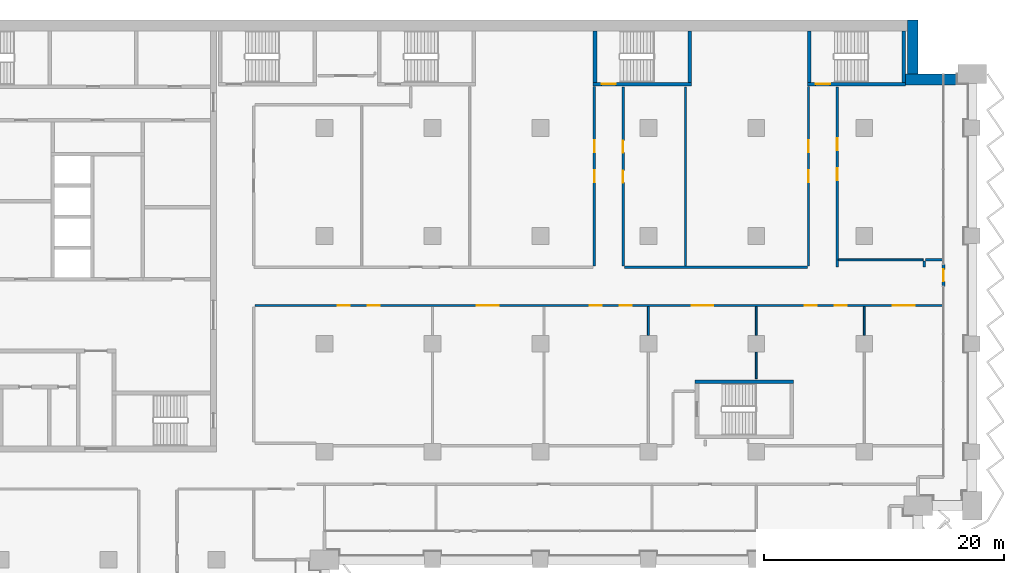
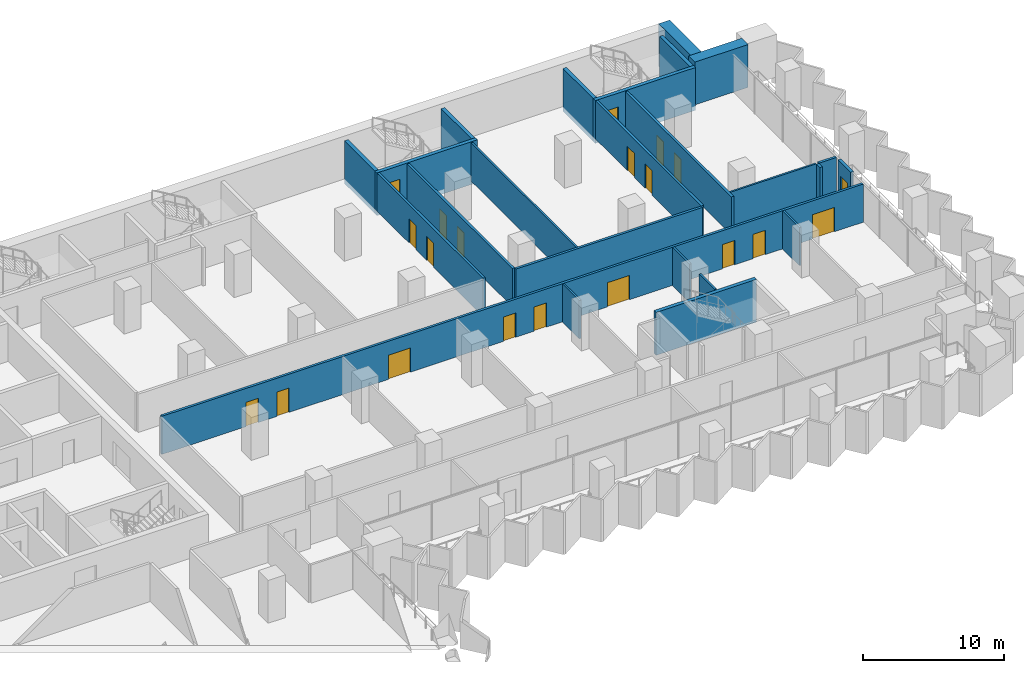
# One storey, part 19 of 29: 24 walls, 20 doors, 20 openings.
"""IFC4 building model written with IfcOpenShell, lengths in metres."""

from ifc_helpers import new_model, si_unit, direction, frame, frame_2d, origin, place, context, subcontext, project, spatial, rectangle, extrude, material, layer, layer_set, type_object, element, fill, save


model = new_model("IFC4")

# Units and contexts
model_context = context("Model", 3, precision=1e-05, world=origin(), true_north=direction((0.0, 1.0)))
body_context = subcontext(model_context, "Body", "Model", "MODEL_VIEW")
ifc_project = project(units=[si_unit("LENGTHUNIT", "METRE"), si_unit("AREAUNIT", "SQUARE_METRE"), si_unit("VOLUMEUNIT", "CUBIC_METRE"), si_unit("PLANEANGLEUNIT", "RADIAN"), si_unit("MASSUNIT", "GRAM", prefix="KILO")], contexts=[model_context])

# Site, building, storey
site_placement = place(None, origin())
site = spatial("IfcSite", under=ifc_project, at=site_placement, CompositionType="ELEMENT")
building_placement = place(site_placement, origin())
building = spatial("IfcBuilding", under=site, at=building_placement, Name="Hunhe Ridgeline Campus", CompositionType="ELEMENT")
storey_placement = place(building_placement, frame((0.0, 0.0, 69.10009765625)))
storey = spatial("IfcBuildingStorey", under=building, at=storey_placement, Name="L16", CompositionType="ELEMENT", Elevation=69.10009765625)

# Wall, openings, doors
ifc_material_1 = material(Name="Gypsum board partition")
ifc_layer_1 = layer(ifc_material_1, 0.199951171875)
ifc_layer_set_1 = layer_set([ifc_layer_1], Name="Corridor partition 200 gypsum board on steel studs")
wall_type_1 = type_object("IfcWallType", Name="Corridor partition 200 gypsum board on steel studs", PredefinedType="PARTITIONING", material=ifc_layer_set_1)
wall_1_placement = place(storey_placement, frame((96.544921875, 75.199951171875, 0.0), z_axis=(0.0, 0.0, 1.0), x_axis=(-1.0, 0.0, 0.0)))
wall_1 = element("IfcWall", 1, at=wall_1_placement, inside=storey, type_object=wall_type_1, Name="F-L16-wall-043", PredefinedType="PARTITIONING", context=body_context, shape_type="SweptSolid", body=[
    extrude(rectangle(XDim=57.344970703125, YDim=0.199951171875, at=frame_2d((28.67236328125, 0.0))), origin(), (0.0, 0.0, 1.0), 3.2998046875),
])
opening_1_placement = place(wall_1_placement, frame((49.457763671875, 0.0, 0.0)))
opening_1 = element("IfcOpeningElement", 2, at=opening_1_placement, cuts=wall_1, Name="Opening RD1-027", PredefinedType="OPENING", context=body_context, shape_type="SweptSolid", body=[
    extrude(rectangle(XDim=1.0, YDim=2.10009765625, at=frame_2d((0.5, 1.050048828125))), frame((0.0, 0.10009765625, 0.0), z_axis=(0.0, -1.0, 0.0), x_axis=(1.0, 0.0, 0.0)), (0.0, 0.0, 1.0), 0.199951171875),
])
opening_2_placement = place(wall_1_placement, frame((46.957763671875, 0.0, 0.0)))
opening_2 = element("IfcOpeningElement", 3, at=opening_2_placement, cuts=wall_1, Name="Opening RD1-028", PredefinedType="OPENING", context=body_context, shape_type="SweptSolid", body=[
    extrude(rectangle(XDim=1.0, YDim=2.10009765625, at=frame_2d((0.5, 1.050048828125))), frame((0.0, 0.10009765625, 0.0), z_axis=(0.0, -1.0, 0.0), x_axis=(1.0, 0.0, 0.0)), (0.0, 0.0, 1.0), 0.199951171875),
])
opening_3_placement = place(wall_1_placement, frame((37.037841796875, 0.0, 0.0)))
opening_3 = element("IfcOpeningElement", 4, at=opening_3_placement, cuts=wall_1, Name="Opening RD2-029", PredefinedType="OPENING", context=body_context, shape_type="SweptSolid", body=[
    extrude(rectangle(XDim=1.800048828125, YDim=2.10009765625, at=frame_2d((0.89990234375, 1.050048828125))), frame((0.0, 0.10009765625, 0.0), z_axis=(0.0, -1.0, 0.0), x_axis=(1.0, 0.0, 0.0)), (0.0, 0.0, 1.0), 0.199951171875),
])
opening_4_placement = place(wall_1_placement, frame((28.4228515625, 0.0, 0.0)))
opening_4 = element("IfcOpeningElement", 5, at=opening_4_placement, cuts=wall_1, Name="Opening RD1-030", PredefinedType="OPENING", context=body_context, shape_type="SweptSolid", body=[
    extrude(rectangle(XDim=1.0, YDim=2.10009765625, at=frame_2d((0.5, 1.050048828125))), frame((0.0, 0.10009765625, 0.0), z_axis=(0.0, -1.0, 0.0), x_axis=(1.0, 0.0, 0.0)), (0.0, 0.0, 1.0), 0.199951171875),
])
opening_5_placement = place(wall_1_placement, frame((25.9228515625, 0.0, 0.0)))
opening_5 = element("IfcOpeningElement", 6, at=opening_5_placement, cuts=wall_1, Name="Opening RD1-031", PredefinedType="OPENING", context=body_context, shape_type="SweptSolid", body=[
    extrude(rectangle(XDim=1.0, YDim=2.10009765625, at=frame_2d((0.5, 1.050048828125))), frame((0.0, 0.10009765625, 0.0), z_axis=(0.0, -1.0, 0.0), x_axis=(1.0, 0.0, 0.0)), (0.0, 0.0, 1.0), 0.199951171875),
])
opening_6_placement = place(wall_1_placement, frame((19.13330078125, 0.0, 0.0)))
opening_6 = element("IfcOpeningElement", 7, at=opening_6_placement, cuts=wall_1, Name="Opening RD2-032", PredefinedType="OPENING", context=body_context, shape_type="SweptSolid", body=[
    extrude(rectangle(XDim=1.800048828125, YDim=2.10009765625, at=frame_2d((0.89990234375, 1.050048828125))), frame((0.0, 0.10009765625, 0.0), z_axis=(0.0, -1.0, 0.0), x_axis=(1.0, 0.0, 0.0)), (0.0, 0.0, 1.0), 0.199951171875),
])
opening_7_placement = place(wall_1_placement, frame((10.518310546875, 0.0, 0.0)))
opening_7 = element("IfcOpeningElement", 8, at=opening_7_placement, cuts=wall_1, Name="Opening RD1-033", PredefinedType="OPENING", context=body_context, shape_type="SweptSolid", body=[
    extrude(rectangle(XDim=1.0, YDim=2.10009765625, at=frame_2d((0.5, 1.050048828125))), frame((0.0, 0.10009765625, 0.0), z_axis=(0.0, -1.0, 0.0), x_axis=(1.0, 0.0, 0.0)), (0.0, 0.0, 1.0), 0.199951171875),
])
opening_8_placement = place(wall_1_placement, frame((8.018310546875, 0.0, 0.0)))
opening_8 = element("IfcOpeningElement", 9, at=opening_8_placement, cuts=wall_1, Name="Opening RD1-034", PredefinedType="OPENING", context=body_context, shape_type="SweptSolid", body=[
    extrude(rectangle(XDim=1.0, YDim=2.10009765625, at=frame_2d((0.5, 1.050048828125))), frame((0.0, 0.10009765625, 0.0), z_axis=(0.0, -1.0, 0.0), x_axis=(1.0, 0.0, 0.0)), (0.0, 0.0, 1.0), 0.199951171875),
])
opening_9_placement = place(wall_1_placement, frame((2.35546875, 0.0, 0.0)))
opening_9 = element("IfcOpeningElement", 10, at=opening_9_placement, cuts=wall_1, Name="Opening RD2-035", PredefinedType="OPENING", context=body_context, shape_type="SweptSolid", body=[
    extrude(rectangle(XDim=1.800048828125, YDim=2.10009765625, at=frame_2d((0.89990234375, 1.050048828125))), frame((0.0, 0.10009765625, 0.0), z_axis=(0.0, -1.0, 0.0), x_axis=(1.0, 0.0, 0.0)), (0.0, 0.0, 1.0), 0.199951171875),
])
ifc_material_2 = material(Name="Timber door leaf", Category="wood")
door_type_1 = type_object("IfcDoorType", Name="Double fire door 1800x2100 timber FD60", OperationType="DOUBLE_DOOR_SINGLE_SWING", PredefinedType="DOOR", material=ifc_material_2)
door_1_placement = place(opening_3_placement, origin())
door_1 = element("IfcDoor", 11, at=door_1_placement, inside=storey, type_object=door_type_1, Name="F-L16-door-029", OperationType="DOUBLE_DOOR_SINGLE_SWING", OverallHeight=2.10009765625, OverallWidth=1.800048828125, PredefinedType="DOOR", context=body_context, shape_type="SweptSolid", body=[
    extrude(rectangle(XDim=1.800048828125, YDim=2.10009765625, at=frame_2d((0.89990234375, 1.050048828125))), frame((0.0, 0.02490234375, 0.0), z_axis=(0.0, -1.0, 0.0), x_axis=(1.0, 0.0, 0.0)), (0.0, 0.0, 1.0), 0.050048828125),
])
fill(opening_3, door_1)
door_2_placement = place(opening_6_placement, origin())
door_2 = element("IfcDoor", 12, at=door_2_placement, inside=storey, type_object=door_type_1, Name="F-L16-door-032", OperationType="DOUBLE_DOOR_SINGLE_SWING", OverallHeight=2.10009765625, OverallWidth=1.800048828125, PredefinedType="DOOR", context=body_context, shape_type="SweptSolid", body=[
    extrude(rectangle(XDim=1.800048828125, YDim=2.10009765625, at=frame_2d((0.89990234375, 1.050048828125))), frame((0.0, 0.02490234375, 0.0), z_axis=(0.0, -1.0, 0.0), x_axis=(1.0, 0.0, 0.0)), (0.0, 0.0, 1.0), 0.050048828125),
])
fill(opening_6, door_2)
door_3_placement = place(opening_9_placement, origin())
door_3 = element("IfcDoor", 13, at=door_3_placement, inside=storey, type_object=door_type_1, Name="F-L16-door-035", OperationType="DOUBLE_DOOR_SINGLE_SWING", OverallHeight=2.10009765625, OverallWidth=1.800048828125, PredefinedType="DOOR", context=body_context, shape_type="SweptSolid", body=[
    extrude(rectangle(XDim=1.800048828125, YDim=2.10009765625, at=frame_2d((0.89990234375, 1.050048828125))), frame((0.0, 0.02490234375, 0.0), z_axis=(0.0, -1.0, 0.0), x_axis=(1.0, 0.0, 0.0)), (0.0, 0.0, 1.0), 0.050048828125),
])
fill(opening_9, door_3)
door_type_2 = type_object("IfcDoorType", Name="Single fire door 1000x2100 timber FD60", OperationType="NOTDEFINED", PredefinedType="DOOR", material=ifc_material_2)
door_4_placement = place(opening_1_placement, frame((1.0, 0.0, 0.0), z_axis=(0.0, 0.0, 1.0), x_axis=(-1.0, 0.0, 0.0)))
door_4 = element("IfcDoor", 14, at=door_4_placement, inside=storey, type_object=door_type_2, Name="F-L16-door-027", OperationType="SINGLE_SWING_RIGHT", OverallHeight=2.10009765625, OverallWidth=1.0, PredefinedType="DOOR", context=body_context, shape_type="SweptSolid", body=[
    extrude(rectangle(XDim=1.0, YDim=2.10009765625, at=frame_2d((0.5, 1.050048828125))), frame((0.0, 0.02490234375, 0.0), z_axis=(0.0, -1.0, 0.0), x_axis=(1.0, 0.0, 0.0)), (0.0, 0.0, 1.0), 0.050048828125),
])
fill(opening_1, door_4)
door_5_placement = place(opening_2_placement, frame((1.0, 0.0, 0.0), z_axis=(0.0, 0.0, 1.0), x_axis=(-1.0, 0.0, 0.0)))
door_5 = element("IfcDoor", 15, at=door_5_placement, inside=storey, type_object=door_type_2, Name="F-L16-door-028", OperationType="SINGLE_SWING_RIGHT", OverallHeight=2.10009765625, OverallWidth=1.0, PredefinedType="DOOR", context=body_context, shape_type="SweptSolid", body=[
    extrude(rectangle(XDim=1.0, YDim=2.10009765625, at=frame_2d((0.5, 1.050048828125))), frame((0.0, 0.02490234375, 0.0), z_axis=(0.0, -1.0, 0.0), x_axis=(1.0, 0.0, 0.0)), (0.0, 0.0, 1.0), 0.050048828125),
])
fill(opening_2, door_5)
door_6_placement = place(opening_4_placement, frame((1.0, 0.0, 0.0), z_axis=(0.0, 0.0, 1.0), x_axis=(-1.0, 0.0, 0.0)))
door_6 = element("IfcDoor", 16, at=door_6_placement, inside=storey, type_object=door_type_2, Name="F-L16-door-030", OperationType="SINGLE_SWING_LEFT", OverallHeight=2.10009765625, OverallWidth=1.0, PredefinedType="DOOR", context=body_context, shape_type="SweptSolid", body=[
    extrude(rectangle(XDim=1.0, YDim=2.10009765625, at=frame_2d((0.5, 1.050048828125))), frame((0.0, 0.02490234375, 0.0), z_axis=(0.0, -1.0, 0.0), x_axis=(1.0, 0.0, 0.0)), (0.0, 0.0, 1.0), 0.050048828125),
])
fill(opening_4, door_6)
door_7_placement = place(opening_5_placement, frame((1.0, 0.0, 0.0), z_axis=(0.0, 0.0, 1.0), x_axis=(-1.0, 0.0, 0.0)))
door_7 = element("IfcDoor", 17, at=door_7_placement, inside=storey, type_object=door_type_2, Name="F-L16-door-031", OperationType="SINGLE_SWING_RIGHT", OverallHeight=2.10009765625, OverallWidth=1.0, PredefinedType="DOOR", context=body_context, shape_type="SweptSolid", body=[
    extrude(rectangle(XDim=1.0, YDim=2.10009765625, at=frame_2d((0.5, 1.050048828125))), frame((0.0, 0.02490234375, 0.0), z_axis=(0.0, -1.0, 0.0), x_axis=(1.0, 0.0, 0.0)), (0.0, 0.0, 1.0), 0.050048828125),
])
fill(opening_5, door_7)
door_8_placement = place(opening_7_placement, frame((1.0, 0.0, 0.0), z_axis=(0.0, 0.0, 1.0), x_axis=(-1.0, 0.0, 0.0)))
door_8 = element("IfcDoor", 18, at=door_8_placement, inside=storey, type_object=door_type_2, Name="F-L16-door-033", OperationType="SINGLE_SWING_RIGHT", OverallHeight=2.10009765625, OverallWidth=1.0, PredefinedType="DOOR", context=body_context, shape_type="SweptSolid", body=[
    extrude(rectangle(XDim=1.0, YDim=2.10009765625, at=frame_2d((0.5, 1.050048828125))), frame((0.0, 0.02490234375, 0.0), z_axis=(0.0, -1.0, 0.0), x_axis=(1.0, 0.0, 0.0)), (0.0, 0.0, 1.0), 0.050048828125),
])
fill(opening_7, door_8)
door_9_placement = place(opening_8_placement, frame((1.0, 0.0, 0.0), z_axis=(0.0, 0.0, 1.0), x_axis=(-1.0, 0.0, 0.0)))
door_9 = element("IfcDoor", 19, at=door_9_placement, inside=storey, type_object=door_type_2, Name="F-L16-door-034", OperationType="SINGLE_SWING_RIGHT", OverallHeight=2.10009765625, OverallWidth=1.0, PredefinedType="DOOR", context=body_context, shape_type="SweptSolid", body=[
    extrude(rectangle(XDim=1.0, YDim=2.10009765625, at=frame_2d((0.5, 1.050048828125))), frame((0.0, 0.02490234375, 0.0), z_axis=(0.0, -1.0, 0.0), x_axis=(1.0, 0.0, 0.0)), (0.0, 0.0, 1.0), 0.050048828125),
])
fill(opening_8, door_9)

# Walls
wall_2_placement = place(storey_placement, frame((70.0, 78.39990234375, 0.0), z_axis=(0.0, 0.0, 1.0), x_axis=(1.0, 0.0, 0.0)))
element("IfcWall", 20, at=wall_2_placement, inside=storey, type_object=wall_type_1, Name="F-L16-wall-045", PredefinedType="PARTITIONING", context=body_context, shape_type="SweptSolid", body=[
    extrude(rectangle(XDim=15.25, YDim=0.199951171875, at=frame_2d((7.625, 0.0))), origin(), (0.0, 0.0, 1.0), 3.2998046875),
])
wall_3_placement = place(storey_placement, frame((95.09912109375, 79.0009765625, 0.0), z_axis=(0.0, 0.0, 1.0), x_axis=(1.0, 0.0, 0.0)))
element("IfcWall", 21, at=wall_3_placement, inside=storey, type_object=wall_type_1, Name="F-L16-wall-047", PredefinedType="PARTITIONING", context=body_context, shape_type="SweptSolid", body=[
    extrude(rectangle(XDim=1.44580078125, YDim=0.199951171875, at=frame_2d((0.722900390625, 0.0))), origin(), (0.0, 0.0, 1.0), 3.2998046875),
])

# Wall, openings, doors
wall_4_placement = place(storey_placement, frame((67.5, 78.5, 0.0), z_axis=(0.0, 0.0, 1.0), x_axis=(0.0, 1.0, 0.0)))
wall_4 = element("IfcWall", 22, at=wall_4_placement, inside=storey, type_object=wall_type_1, Name="F-L16-wall-071", PredefinedType="PARTITIONING", context=body_context, shape_type="SweptSolid", body=[
    extrude(rectangle(XDim=14.969970703125, YDim=0.199951171875, at=frame_2d((7.48486328125, 0.0))), origin(), (0.0, 0.0, 1.0), 3.2998046875),
])
opening_10_placement = place(wall_4_placement, frame((6.985107421875, 0.0, 0.0)))
opening_10 = element("IfcOpeningElement", 23, at=opening_10_placement, cuts=wall_4, Name="Opening RD1-040", PredefinedType="OPENING", context=body_context, shape_type="SweptSolid", body=[
    extrude(rectangle(XDim=1.0, YDim=2.10009765625, at=frame_2d((0.5, 1.050048828125))), frame((0.0, 0.10009765625, 0.0), z_axis=(0.0, -1.0, 0.0), x_axis=(1.0, 0.0, 0.0)), (0.0, 0.0, 1.0), 0.199951171875),
])
opening_11_placement = place(wall_4_placement, frame((9.485107421875, 0.0, 0.0)))
opening_11 = element("IfcOpeningElement", 24, at=opening_11_placement, cuts=wall_4, Name="Opening RD1-045", PredefinedType="OPENING", context=body_context, shape_type="SweptSolid", body=[
    extrude(rectangle(XDim=1.0, YDim=2.10009765625, at=frame_2d((0.5, 1.050048828125))), frame((0.0, 0.10009765625, 0.0), z_axis=(0.0, -1.0, 0.0), x_axis=(1.0, 0.0, 0.0)), (0.0, 0.0, 1.0), 0.199951171875),
])
door_10_placement = place(opening_10_placement, frame((1.0, 0.0, 0.0), z_axis=(0.0, 0.0, 1.0), x_axis=(-1.0, 0.0, 0.0)))
door_10 = element("IfcDoor", 25, at=door_10_placement, inside=storey, type_object=door_type_2, Name="F-L16-door-040", OperationType="SINGLE_SWING_LEFT", OverallHeight=2.10009765625, OverallWidth=1.0, PredefinedType="DOOR", context=body_context, shape_type="SweptSolid", body=[
    extrude(rectangle(XDim=1.0, YDim=2.10009765625, at=frame_2d((0.5, 1.050048828125))), frame((0.0, 0.02490234375, 0.0), z_axis=(0.0, -1.0, 0.0), x_axis=(1.0, 0.0, 0.0)), (0.0, 0.0, 1.0), 0.050048828125),
])
fill(opening_10, door_10)
door_11_placement = place(opening_11_placement, frame((1.0, 0.0, 0.0), z_axis=(0.0, 0.0, 1.0), x_axis=(-1.0, 0.0, 0.0)))
door_11 = element("IfcDoor", 26, at=door_11_placement, inside=storey, type_object=door_type_2, Name="F-L16-door-045", OperationType="SINGLE_SWING_LEFT", OverallHeight=2.10009765625, OverallWidth=1.0, PredefinedType="DOOR", context=body_context, shape_type="SweptSolid", body=[
    extrude(rectangle(XDim=1.0, YDim=2.10009765625, at=frame_2d((0.5, 1.050048828125))), frame((0.0, 0.02490234375, 0.0), z_axis=(0.0, -1.0, 0.0), x_axis=(1.0, 0.0, 0.0)), (0.0, 0.0, 1.0), 0.050048828125),
])
fill(opening_11, door_11)

wall_5_placement = place(storey_placement, frame((69.89990234375, 93.39599609375, 0.0), z_axis=(0.0, 0.0, 1.0), x_axis=(0.0, -1.0, 0.0)))
wall_5 = element("IfcWall", 27, at=wall_5_placement, inside=storey, type_object=wall_type_1, Name="F-L16-wall-072", PredefinedType="PARTITIONING", context=body_context, shape_type="SweptSolid", body=[
    extrude(rectangle(XDim=14.89599609375, YDim=0.199951171875, at=frame_2d((7.447998046875, 0.0))), origin(), (0.0, 0.0, 1.0), 3.2998046875),
])
opening_12_placement = place(wall_5_placement, frame((6.947998046875, 0.0, 0.0)))
opening_12 = element("IfcOpeningElement", 28, at=opening_12_placement, cuts=wall_5, Name="Opening RD1-039", PredefinedType="OPENING", context=body_context, shape_type="SweptSolid", body=[
    extrude(rectangle(XDim=1.0, YDim=2.10009765625, at=frame_2d((0.5, 1.050048828125))), frame((0.0, 0.10009765625, 0.0), z_axis=(0.0, -1.0, 0.0), x_axis=(1.0, 0.0, 0.0)), (0.0, 0.0, 1.0), 0.199951171875),
])
opening_13_placement = place(wall_5_placement, frame((4.447998046875, 0.0, 0.0)))
opening_13 = element("IfcOpeningElement", 29, at=opening_13_placement, cuts=wall_5, Name="Opening RD1-044", PredefinedType="OPENING", context=body_context, shape_type="SweptSolid", body=[
    extrude(rectangle(XDim=1.0, YDim=2.10009765625, at=frame_2d((0.5, 1.050048828125))), frame((0.0, 0.10009765625, 0.0), z_axis=(0.0, -1.0, 0.0), x_axis=(1.0, 0.0, 0.0)), (0.0, 0.0, 1.0), 0.199951171875),
])
door_12_placement = place(opening_12_placement, frame((1.0, 0.0, 0.0), z_axis=(0.0, 0.0, 1.0), x_axis=(-1.0, 0.0, 0.0)))
door_12 = element("IfcDoor", 30, at=door_12_placement, inside=storey, type_object=door_type_2, Name="F-L16-door-039", OperationType="SINGLE_SWING_RIGHT", OverallHeight=2.10009765625, OverallWidth=1.0, PredefinedType="DOOR", context=body_context, shape_type="SweptSolid", body=[
    extrude(rectangle(XDim=1.0, YDim=2.10009765625, at=frame_2d((0.5, 1.050048828125))), frame((0.0, 0.02490234375, 0.0), z_axis=(0.0, -1.0, 0.0), x_axis=(1.0, 0.0, 0.0)), (0.0, 0.0, 1.0), 0.050048828125),
])
fill(opening_12, door_12)
door_13_placement = place(opening_13_placement, frame((1.0, 0.0, 0.0), z_axis=(0.0, 0.0, 1.0), x_axis=(-1.0, 0.0, 0.0)))
door_13 = element("IfcDoor", 31, at=door_13_placement, inside=storey, type_object=door_type_2, Name="F-L16-door-044", OperationType="SINGLE_SWING_RIGHT", OverallHeight=2.10009765625, OverallWidth=1.0, PredefinedType="DOOR", context=body_context, shape_type="SweptSolid", body=[
    extrude(rectangle(XDim=1.0, YDim=2.10009765625, at=frame_2d((0.5, 1.050048828125))), frame((0.0, 0.02490234375, 0.0), z_axis=(0.0, -1.0, 0.0), x_axis=(1.0, 0.0, 0.0)), (0.0, 0.0, 1.0), 0.050048828125),
])
fill(opening_13, door_13)

wall_6_placement = place(storey_placement, frame((85.35009765625, 78.5, 0.0), z_axis=(0.0, 0.0, 1.0), x_axis=(0.0, 1.0, 0.0)))
wall_6 = element("IfcWall", 32, at=wall_6_placement, inside=storey, type_object=wall_type_1, Name="F-L16-wall-083", PredefinedType="PARTITIONING", context=body_context, shape_type="SweptSolid", body=[
    extrude(rectangle(XDim=14.969970703125, YDim=0.199951171875, at=frame_2d((7.48486328125, 0.0))), origin(), (0.0, 0.0, 1.0), 3.2998046875),
])
opening_14_placement = place(wall_6_placement, frame((6.985107421875, 0.0, 0.0)))
opening_14 = element("IfcOpeningElement", 33, at=opening_14_placement, cuts=wall_6, Name="Opening RD1-041", PredefinedType="OPENING", context=body_context, shape_type="SweptSolid", body=[
    extrude(rectangle(XDim=1.0, YDim=2.10009765625, at=frame_2d((0.5, 1.050048828125))), frame((0.0, 0.10009765625, 0.0), z_axis=(0.0, -1.0, 0.0), x_axis=(1.0, 0.0, 0.0)), (0.0, 0.0, 1.0), 0.199951171875),
])
opening_15_placement = place(wall_6_placement, frame((9.485107421875, 0.0, 0.0)))
opening_15 = element("IfcOpeningElement", 34, at=opening_15_placement, cuts=wall_6, Name="Opening RD1-046", PredefinedType="OPENING", context=body_context, shape_type="SweptSolid", body=[
    extrude(rectangle(XDim=1.0, YDim=2.10009765625, at=frame_2d((0.5, 1.050048828125))), frame((0.0, 0.10009765625, 0.0), z_axis=(0.0, -1.0, 0.0), x_axis=(1.0, 0.0, 0.0)), (0.0, 0.0, 1.0), 0.199951171875),
])
door_14_placement = place(opening_14_placement, frame((1.0, 0.0, 0.0), z_axis=(0.0, 0.0, 1.0), x_axis=(-1.0, 0.0, 0.0)))
door_14 = element("IfcDoor", 35, at=door_14_placement, inside=storey, type_object=door_type_2, Name="F-L16-door-041", OperationType="SINGLE_SWING_LEFT", OverallHeight=2.10009765625, OverallWidth=1.0, PredefinedType="DOOR", context=body_context, shape_type="SweptSolid", body=[
    extrude(rectangle(XDim=1.0, YDim=2.10009765625, at=frame_2d((0.5, 1.050048828125))), frame((0.0, 0.02490234375, 0.0), z_axis=(0.0, -1.0, 0.0), x_axis=(1.0, 0.0, 0.0)), (0.0, 0.0, 1.0), 0.050048828125),
])
fill(opening_14, door_14)
door_15_placement = place(opening_15_placement, frame((1.0, 0.0, 0.0), z_axis=(0.0, 0.0, 1.0), x_axis=(-1.0, 0.0, 0.0)))
door_15 = element("IfcDoor", 36, at=door_15_placement, inside=storey, type_object=door_type_2, Name="F-L16-door-046", OperationType="SINGLE_SWING_LEFT", OverallHeight=2.10009765625, OverallWidth=1.0, PredefinedType="DOOR", context=body_context, shape_type="SweptSolid", body=[
    extrude(rectangle(XDim=1.0, YDim=2.10009765625, at=frame_2d((0.5, 1.050048828125))), frame((0.0, 0.02490234375, 0.0), z_axis=(0.0, -1.0, 0.0), x_axis=(1.0, 0.0, 0.0)), (0.0, 0.0, 1.0), 0.050048828125),
])
fill(opening_15, door_15)

wall_7_placement = place(storey_placement, frame((87.75, 93.39599609375, 0.0), z_axis=(0.0, 0.0, 1.0), x_axis=(0.0, -1.0, 0.0)))
wall_7 = element("IfcWall", 37, at=wall_7_placement, inside=storey, type_object=wall_type_1, Name="F-L16-wall-084", PredefinedType="PARTITIONING", context=body_context, shape_type="SweptSolid", body=[
    extrude(rectangle(XDim=14.99609375, YDim=0.199951171875, at=frame_2d((7.498046875, 0.0))), origin(), (0.0, 0.0, 1.0), 3.2998046875),
])
opening_16_placement = place(wall_7_placement, frame((6.743896484375, 0.0, 0.0)))
opening_16 = element("IfcOpeningElement", 38, at=opening_16_placement, cuts=wall_7, Name="Opening RD1-042", PredefinedType="OPENING", context=body_context, shape_type="SweptSolid", body=[
    extrude(rectangle(XDim=1.0, YDim=2.10009765625, at=frame_2d((0.5, 1.050048828125))), frame((0.0, 0.10009765625, 0.0), z_axis=(0.0, -1.0, 0.0), x_axis=(1.0, 0.0, 0.0)), (0.0, 0.0, 1.0), 0.199951171875),
])
opening_17_placement = place(wall_7_placement, frame((4.243896484375, 0.0, 0.0)))
opening_17 = element("IfcOpeningElement", 39, at=opening_17_placement, cuts=wall_7, Name="Opening RD1-047", PredefinedType="OPENING", context=body_context, shape_type="SweptSolid", body=[
    extrude(rectangle(XDim=1.0, YDim=2.10009765625, at=frame_2d((0.5, 1.050048828125))), frame((0.0, 0.10009765625, 0.0), z_axis=(0.0, -1.0, 0.0), x_axis=(1.0, 0.0, 0.0)), (0.0, 0.0, 1.0), 0.199951171875),
])
door_16_placement = place(opening_16_placement, frame((1.0, 0.0, 0.0), z_axis=(0.0, 0.0, 1.0), x_axis=(-1.0, 0.0, 0.0)))
door_16 = element("IfcDoor", 40, at=door_16_placement, inside=storey, type_object=door_type_2, Name="F-L16-door-042", OperationType="SINGLE_SWING_RIGHT", OverallHeight=2.10009765625, OverallWidth=1.0, PredefinedType="DOOR", context=body_context, shape_type="SweptSolid", body=[
    extrude(rectangle(XDim=1.0, YDim=2.10009765625, at=frame_2d((0.5, 1.050048828125))), frame((0.0, 0.02490234375, 0.0), z_axis=(0.0, -1.0, 0.0), x_axis=(1.0, 0.0, 0.0)), (0.0, 0.0, 1.0), 0.050048828125),
])
fill(opening_16, door_16)
door_17_placement = place(opening_17_placement, frame((1.0, 0.0, 0.0), z_axis=(0.0, 0.0, 1.0), x_axis=(-1.0, 0.0, 0.0)))
door_17 = element("IfcDoor", 41, at=door_17_placement, inside=storey, type_object=door_type_2, Name="F-L16-door-047", OperationType="SINGLE_SWING_RIGHT", OverallHeight=2.10009765625, OverallWidth=1.0, PredefinedType="DOOR", context=body_context, shape_type="SweptSolid", body=[
    extrude(rectangle(XDim=1.0, YDim=2.10009765625, at=frame_2d((0.5, 1.050048828125))), frame((0.0, 0.02490234375, 0.0), z_axis=(0.0, -1.0, 0.0), x_axis=(1.0, 0.0, 0.0)), (0.0, 0.0, 1.0), 0.050048828125),
])
fill(opening_17, door_17)

# Wall
wall_8_placement = place(storey_placement, frame((94.9990234375, 78.39990234375, 0.0), z_axis=(0.0, 0.0, 1.0), x_axis=(0.0, 1.0, 0.0)))
element("IfcWall", 42, at=wall_8_placement, inside=storey, type_object=wall_type_1, Name="F-L16-wall-087", PredefinedType="PARTITIONING", context=body_context, shape_type="SweptSolid", body=[
    extrude(rectangle(XDim=0.5009765625, YDim=0.199951171875, at=frame_2d((0.25048828125, 0.0))), origin(), (0.0, 0.0, 1.0), 3.2998046875),
])

# Wall, opening, door
ifc_material_3 = material(Name="Concrete C30", Category="concrete")
ifc_layer_2 = layer(ifc_material_3, 0.25)
ifc_layer_set_2 = layer_set([ifc_layer_2], Name="Loggia door pier wall 250 Concrete C30")
wall_type_2 = type_object("IfcWallType", Name="Loggia door pier wall 250 Concrete C30", PredefinedType="SOLIDWALL", material=ifc_layer_set_2)
wall_9_placement = place(storey_placement, frame((96.59912109375, 76.800537109375, 0.0), z_axis=(0.0, 0.0, 1.0), x_axis=(0.0, 1.0, 0.0)))
wall_9 = element("IfcWall", 43, at=wall_9_placement, inside=storey, type_object=wall_type_2, Name="Loggia door pier 4", PredefinedType="SOLIDWALL", context=body_context, shape_type="SweptSolid", body=[
    extrude(rectangle(XDim=1.800048828125, YDim=0.25, at=frame_2d((0.89990234375, 0.0))), origin(), (0.0, 0.0, 1.0), 3.2998046875),
])
opening_18_placement = place(wall_9_placement, frame((0.39990234375, 0.0, 0.0)))
opening_18 = element("IfcOpeningElement", 44, at=opening_18_placement, cuts=wall_9, Name="Opening BD108", PredefinedType="OPENING", context=body_context, shape_type="SweptSolid", body=[
    extrude(rectangle(XDim=1.0, YDim=2.10009765625, at=frame_2d((0.5, 1.050048828125))), frame((0.0, 0.125, 0.0), z_axis=(0.0, -1.0, 0.0), x_axis=(1.0, 0.0, 0.0)), (0.0, 0.0, 1.0), 0.25),
])
ifc_material_4 = material(Name="Aluminium 6063", Category="aluminium")
door_type_3 = type_object("IfcDoorType", Name="Loggia glazed door 1000x2100", OperationType="NOTDEFINED", PredefinedType="DOOR", material=ifc_material_4)
door_18_placement = place(opening_18_placement, frame((1.0, 0.0, 0.0), z_axis=(0.0, 0.0, 1.0), x_axis=(-1.0, 0.0, 0.0)))
door_18 = element("IfcDoor", 45, at=door_18_placement, inside=storey, type_object=door_type_3, Name="Loggia door BD108", OperationType="SINGLE_SWING_LEFT", OverallHeight=2.10009765625, OverallWidth=1.0, PredefinedType="DOOR", context=body_context, shape_type="SweptSolid", body=[
    extrude(rectangle(XDim=1.0, YDim=2.10009765625, at=frame_2d((0.5, 1.050048828125))), frame((0.0, 0.02490234375, 0.0), z_axis=(0.0, -1.0, 0.0), x_axis=(1.0, 0.0, 0.0)), (0.0, 0.0, 1.0), 0.050048828125),
])
fill(opening_18, door_18)

# Walls
ifc_layer_3 = layer(ifc_material_1, 0.14990234375)
ifc_layer_set_3 = layer_set([ifc_layer_3], Name="Room partition 150 gypsum board on steel studs")
wall_type_3 = type_object("IfcWallType", Name="Room partition 150 gypsum board on steel studs", PredefinedType="PARTITIONING", material=ifc_layer_set_3)
wall_10_placement = place(storey_placement, frame((87.85009765625, 79.0009765625, 0.0), z_axis=(0.0, 0.0, 1.0), x_axis=(1.0, 0.0, 0.0)))
element("IfcWall", 46, at=wall_10_placement, inside=storey, type_object=wall_type_3, Name="F-L16-wall-046", PredefinedType="PARTITIONING", context=body_context, shape_type="SweptSolid", body=[
    extrude(rectangle(XDim=7.048828125, YDim=0.14990234375, at=frame_2d((3.5244140625, 0.0))), origin(), (0.0, 0.0, 1.0), 3.2998046875),
])
wall_11_placement = place(storey_placement, frame((72.0, 75.10009765625, 0.0), z_axis=(0.0, 0.0, 1.0), x_axis=(0.0, -1.0, 0.0)))
element("IfcWall", 47, at=wall_11_placement, inside=storey, type_object=wall_type_3, Name="F-L16-wall-074", PredefinedType="PARTITIONING", context=body_context, shape_type="SweptSolid", body=[
    extrude(rectangle(XDim=2.400146484375, YDim=0.14990234375, at=frame_2d((1.2001953125, 0.0))), origin(), (0.0, 0.0, 1.0), 3.2998046875),
])
wall_12_placement = place(storey_placement, frame((75.10009765625, 93.39599609375, 0.0), z_axis=(0.0, 0.0, 1.0), x_axis=(0.0, -1.0, 0.0)))
element("IfcWall", 48, at=wall_12_placement, inside=storey, type_object=wall_type_3, Name="F-L16-wall-077", PredefinedType="PARTITIONING", context=body_context, shape_type="SweptSolid", body=[
    extrude(rectangle(XDim=14.89599609375, YDim=0.14990234375, at=frame_2d((7.447998046875, 0.0))), origin(), (0.0, 0.0, 1.0), 3.2998046875),
])
wall_13_placement = place(storey_placement, frame((81.0, 71.300048828125, 0.0), z_axis=(0.0, 0.0, 1.0), x_axis=(0.0, -1.0, 0.0)))
element("IfcWall", 49, at=wall_13_placement, inside=storey, type_object=wall_type_3, Name="F-L16-wall-081", PredefinedType="PARTITIONING", context=body_context, shape_type="SweptSolid", body=[
    extrude(rectangle(XDim=2.196044921875, YDim=0.14990234375, at=frame_2d((1.09814453125, 0.0))), origin(), (0.0, 0.0, 1.0), 3.2998046875),
])
for number, where, z_axis, x_axis, name in (
    (50, (81.0, 75.10009765625, 0.0), (0.0, 0.0, 1.0), (0.0, -1.0, 0.0), "F-L16-wall-082"),
    (51, (90.0, 75.10009765625, 0.0), (0.0, 0.0, 1.0), (0.0, -1.0, 0.0), "F-L16-wall-086"),
):
    element("IfcWall", number, at=place(storey_placement, frame(where, z_axis=z_axis, x_axis=x_axis)), inside=storey, type_object=wall_type_3, Name=name, PredefinedType="PARTITIONING", context=body_context, shape_type="SweptSolid", body=[
        extrude(rectangle(XDim=2.400146484375, YDim=0.14990234375, at=frame_2d((1.2001953125, 0.0))), origin(), (0.0, 0.0, 1.0), 3.2998046875),
    ])
ifc_material_5 = material(Name="Concrete C80", Category="concrete")
ifc_layer_4 = layer(ifc_material_5, 0.89990234375)
ifc_layer_set_4 = layer_set([ifc_layer_4], Name="Spine wall 900 Concrete C80")
wall_type_4 = type_object("IfcWallType", Name="Spine wall 900 Concrete C80", PredefinedType="SHEAR", material=ifc_layer_set_4)
wall_14_placement = place(storey_placement, frame((97.800048828125, 94.050048828125, 0.0), z_axis=(0.0, 0.0, 1.0), x_axis=(-1.0, 0.0, 0.0)))
element("IfcWall", 52, at=wall_14_placement, inside=storey, type_object=wall_type_4, Name="Spine wall SW1-2 L16", PredefinedType="SHEAR", context=body_context, shape_type="SweptSolid", body=[
    extrude(rectangle(XDim=4.3505859375, YDim=0.89990234375, at=frame_2d((2.17529296875, 0.0))), origin(), (0.0, 0.0, 1.0), 3.699951171875),
])
wall_15_placement = place(storey_placement, frame((94.050048828125, 93.60009765625, 0.0), z_axis=(0.0, 0.0, 1.0), x_axis=(0.0, 1.0, 0.0)))
element("IfcWall", 53, at=wall_15_placement, inside=storey, type_object=wall_type_4, Name="Spine wall SW1-3 L16", PredefinedType="SHEAR", context=body_context, shape_type="SweptSolid", body=[
    extrude(rectangle(XDim=5.39990234375, YDim=0.89990234375, at=frame_2d((2.699951171875, 0.0))), origin(), (0.0, 0.0, 1.0), 3.699951171875),
])
ifc_layer_5 = layer(ifc_material_5, 0.300048828125)
ifc_layer_set_5 = layer_set([ifc_layer_5], Name="Stair wall 300 reinforced concrete C80")
wall_type_5 = type_object("IfcWallType", Name="Stair wall 300 reinforced concrete C80", PredefinedType="SOLIDWALL", material=ifc_layer_set_5)
wall_16_placement = place(storey_placement, frame((75.89990234375, 68.85009765625, -0.400146484375), z_axis=(0.0, 0.0, 1.0), x_axis=(1.0, 0.0, 0.0)))
element("IfcWall", 54, at=wall_16_placement, inside=storey, type_object=wall_type_5, Name="L16 core wall 11", PredefinedType="SOLIDWALL", context=body_context, shape_type="SweptSolid", body=[
    extrude(rectangle(XDim=8.2001953125, YDim=0.300048828125, at=frame_2d((4.10009765625, 0.0))), origin(), (0.0, 0.0, 1.0), 3.699951171875),
])

# Wall, opening, door
wall_17_placement = place(storey_placement, frame((67.39990234375, 93.64990234375, -0.400146484375), z_axis=(0.0, 0.0, 1.0), x_axis=(1.0, 0.0, 0.0)))
wall_17 = element("IfcWall", 55, at=wall_17_placement, inside=storey, type_object=wall_type_5, Name="L16 core wall 34", PredefinedType="SOLIDWALL", context=body_context, shape_type="SweptSolid", body=[
    extrude(rectangle(XDim=8.2001953125, YDim=0.300048828125, at=frame_2d((4.10009765625, 0.0))), origin(), (0.0, 0.0, 1.0), 3.699951171875),
])
opening_19_placement = place(wall_17_placement, frame((0.699951171875, 0.0, 0.39990234375)))
opening_19 = element("IfcOpeningElement", 56, at=opening_19_placement, cuts=wall_17, Name="Opening CD19", PredefinedType="OPENING", context=body_context, shape_type="SweptSolid", body=[
    extrude(rectangle(XDim=1.199951171875, YDim=2.10009765625, at=frame_2d((0.60009765625, 1.050048828125))), frame((0.0, 0.14990234375, 0.0), z_axis=(0.0, -1.0, 0.0), x_axis=(1.0, 0.0, 0.0)), (0.0, 0.0, 1.0), 0.300048828125),
])
ifc_material_6 = material(Name="Hollow metal fire door leaf")
door_type_4 = type_object("IfcDoorType", Name="Stair door 1200x2100 FD60", OperationType="SINGLE_SWING_LEFT", PredefinedType="DOOR", material=ifc_material_6)
door_19_placement = place(opening_19_placement, frame((1.199951171875, 0.0, 0.0), z_axis=(0.0, 0.0, 1.0), x_axis=(-1.0, 0.0, 0.0)))
door_19 = element("IfcDoor", 57, at=door_19_placement, inside=storey, type_object=door_type_4, Name="L16 door E3", OperationType="SINGLE_SWING_RIGHT", OverallHeight=2.10009765625, OverallWidth=1.199951171875, PredefinedType="DOOR", context=body_context, shape_type="SweptSolid", body=[
    extrude(rectangle(XDim=1.199951171875, YDim=2.10009765625, at=frame_2d((0.60009765625, 1.050048828125))), frame((0.0, 0.02490234375, 0.0), z_axis=(0.0, -1.0, 0.0), x_axis=(1.0, 0.0, 0.0)), (0.0, 0.0, 1.0), 0.050048828125),
])
fill(opening_19, door_19)

wall_18_placement = place(storey_placement, frame((85.25, 93.64990234375, -0.400146484375), z_axis=(0.0, 0.0, 1.0), x_axis=(1.0, 0.0, 0.0)))
wall_18 = element("IfcWall", 58, at=wall_18_placement, inside=storey, type_object=wall_type_5, Name="L16 core wall 35", PredefinedType="SOLIDWALL", context=body_context, shape_type="SweptSolid", body=[
    extrude(rectangle(XDim=8.199951171875, YDim=0.300048828125, at=frame_2d((4.10009765625, 0.0))), origin(), (0.0, 0.0, 1.0), 3.699951171875),
])
opening_20_placement = place(wall_18_placement, frame((0.699951171875, 0.0, 0.39990234375)))
opening_20 = element("IfcOpeningElement", 59, at=opening_20_placement, cuts=wall_18, Name="Opening CD20", PredefinedType="OPENING", context=body_context, shape_type="SweptSolid", body=[
    extrude(rectangle(XDim=1.199951171875, YDim=2.10009765625, at=frame_2d((0.60009765625, 1.050048828125))), frame((0.0, 0.14990234375, 0.0), z_axis=(0.0, -1.0, 0.0), x_axis=(1.0, 0.0, 0.0)), (0.0, 0.0, 1.0), 0.300048828125),
])
door_20_placement = place(opening_20_placement, frame((1.199951171875, 0.0, 0.0), z_axis=(0.0, 0.0, 1.0), x_axis=(-1.0, 0.0, 0.0)))
door_20 = element("IfcDoor", 60, at=door_20_placement, inside=storey, type_object=door_type_4, Name="L16 door E4", OperationType="SINGLE_SWING_LEFT", OverallHeight=2.10009765625, OverallWidth=1.199951171875, PredefinedType="DOOR", context=body_context, shape_type="SweptSolid", body=[
    extrude(rectangle(XDim=1.199951171875, YDim=2.10009765625, at=frame_2d((0.60009765625, 1.050048828125))), frame((0.0, 0.02490234375, 0.0), z_axis=(0.0, -1.0, 0.0), x_axis=(1.0, 0.0, 0.0)), (0.0, 0.0, 1.0), 0.050048828125),
])
fill(opening_20, door_20)

# Walls
for number, where, z_axis, x_axis, name in (
    (61, (67.550048828125, 93.800048828125, -0.400146484375), (0.0, 0.0, 1.0), (0.0, 1.0, 0.0), "L16 core wall 69"),
    (62, (75.449951171875, 93.800048828125, -0.400146484375), (0.0, 0.0, 1.0), (0.0, 1.0, 0.0), "L16 core wall 70"),
    (63, (85.39990234375, 93.800048828125, -0.400146484375), (0.0, 0.0, 1.0), (0.0, 1.0, 0.0), "L16 core wall 73"),
    (64, (93.300048828125, 93.800048828125, -0.400146484375), (0.0, 0.0, 1.0), (0.0, 1.0, 0.0), "L16 core wall 74"),
):
    element("IfcWall", number, at=place(storey_placement, frame(where, z_axis=z_axis, x_axis=x_axis)), inside=storey, type_object=wall_type_5, Name=name, PredefinedType="SOLIDWALL", context=body_context, shape_type="SweptSolid", body=[
        extrude(rectangle(XDim=4.300048828125, YDim=0.300048828125, at=frame_2d((2.14990234375, 0.0))), origin(), (0.0, 0.0, 1.0), 3.699951171875),
    ])

save(model, "model.ifc")
